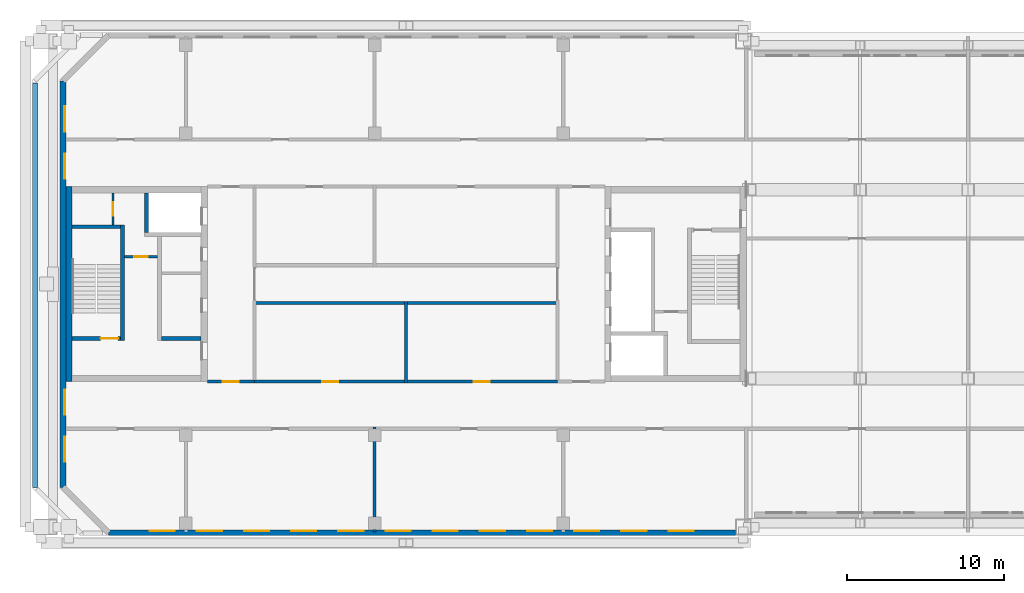
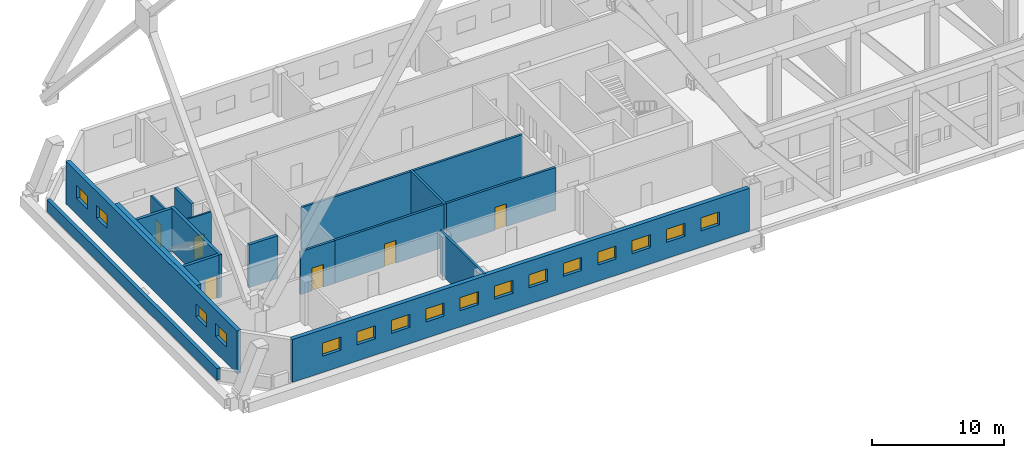
# One storey, part 4 of 17: 16 walls, 16 windows, 6 doors, 22 openings.
"""IFC4 building model written with IfcOpenShell, lengths in metres."""

from ifc_helpers import new_model, si_unit, direction, frame, frame_2d, origin, place, context, subcontext, project, spatial, rectangle, extrude, material, layer, layer_set, type_object, element, fill, save


model = new_model("IFC4")

# Units and contexts
model_context = context("Model", 3, precision=1e-05, world=origin(), true_north=direction((0.0, 1.0)))
body_context = subcontext(model_context, "Body", "Model", "MODEL_VIEW")
ifc_project = project(units=[si_unit("LENGTHUNIT", "METRE"), si_unit("AREAUNIT", "SQUARE_METRE"), si_unit("VOLUMEUNIT", "CUBIC_METRE"), si_unit("PLANEANGLEUNIT", "RADIAN"), si_unit("MASSUNIT", "GRAM", prefix="KILO")], contexts=[model_context])

# Site, building, storey
site_placement = place(None, origin())
site = spatial("IfcSite", under=ifc_project, at=site_placement, CompositionType="ELEMENT")
building_placement = place(site_placement, origin())
building = spatial("IfcBuilding", under=site, at=building_placement, Name="Tuart Gate Housing", CompositionType="ELEMENT")
storey_placement = place(building_placement, frame((0.0, 0.0, 194.39990234375)))
storey = spatial("IfcBuildingStorey", under=building, at=storey_placement, Name="L55", CompositionType="ELEMENT", Elevation=194.39990234375)

# Wall
ifc_material_1 = material(Name="Brick", Category="masonry")
ifc_layer_1 = layer(ifc_material_1, 0.300048828125)
ifc_layer_set_1 = layer_set([ifc_layer_1], Name="Brick parapet wall 300")
wall_type_1 = type_object("IfcWallType", Name="Brick parapet wall 300", PredefinedType="PARAPET", material=ifc_layer_set_1)
wall_1_placement = place(storey_placement, frame((30.39990234375, 82.785888671875, 0.0), z_axis=(0.0, 0.0, 1.0), x_axis=(0.0, -1.0, 0.0)))
element("IfcWall", 1, at=wall_1_placement, inside=storey, type_object=wall_type_1, Name="Roof parapet A 3", PredefinedType="PARAPET", context=body_context, shape_type="SweptSolid", body=[
    extrude(rectangle(XDim=25.723876953125, YDim=0.300048828125, at=frame_2d((12.86181640625, 0.0))), origin(), (0.0, 0.0, 1.0), 1.10009765625),
])

# Wall, openings, windows
ifc_material_2 = material(Name="Brick", Category="masonry")
ifc_layer_2 = layer(ifc_material_2, 0.360107421875)
ifc_layer_set_2 = layer_set([ifc_layer_2], Name="Brick pier and spandrel wall 360")
wall_type_2 = type_object("IfcWallType", Name="Brick pier and spandrel wall 360", PredefinedType="STANDARD", material=ifc_layer_set_2)
wall_2_placement = place(storey_placement, frame((35.07470703125, 54.179931640625, 0.0), z_axis=(0.0, 0.0, 1.0), x_axis=(1.0, 0.0, 0.0)))
wall_2 = element("IfcWall", 2, at=wall_2_placement, inside=storey, type_object=wall_type_2, Name="External wall BLK-S L55", PredefinedType="STANDARD", context=body_context, shape_type="SweptSolid", body=[
    extrude(rectangle(XDim=39.875244140625, YDim=0.360107421875, at=frame_2d((19.9375, 0.0))), origin(), (0.0, 0.0, 1.0), 3.9501953125),
])
opening_1_placement = place(wall_2_placement, frame((2.62548828125, 0.0, 1.5)))
opening_1 = element("IfcOpeningElement", 3, at=opening_1_placement, cuts=wall_2, Name="Opening W3", PredefinedType="OPENING", context=body_context, shape_type="SweptSolid", body=[
    extrude(rectangle(XDim=1.60009765625, YDim=1.199951171875, at=frame_2d((0.800048828125, 0.60009765625))), frame((0.0, 0.18994140625, 0.0), z_axis=(0.0, -1.0, 0.0), x_axis=(1.0, 0.0, 0.0)), (0.0, 0.0, 1.0), 0.380126953125),
])
opening_2_placement = place(wall_2_placement, frame((5.62548828125, 0.0, 1.5)))
opening_2 = element("IfcOpeningElement", 4, at=opening_2_placement, cuts=wall_2, Name="Opening W3", PredefinedType="OPENING", context=body_context, shape_type="SweptSolid", body=[
    extrude(rectangle(XDim=1.60009765625, YDim=1.199951171875, at=frame_2d((0.800048828125, 0.60009765625))), frame((0.0, 0.18994140625, 0.0), z_axis=(0.0, -1.0, 0.0), x_axis=(1.0, 0.0, 0.0)), (0.0, 0.0, 1.0), 0.380126953125),
])
opening_3_placement = place(wall_2_placement, frame((8.62548828125, 0.0, 1.5)))
opening_3 = element("IfcOpeningElement", 5, at=opening_3_placement, cuts=wall_2, Name="Opening W3", PredefinedType="OPENING", context=body_context, shape_type="SweptSolid", body=[
    extrude(rectangle(XDim=1.60009765625, YDim=1.199951171875, at=frame_2d((0.800048828125, 0.60009765625))), frame((0.0, 0.18994140625, 0.0), z_axis=(0.0, -1.0, 0.0), x_axis=(1.0, 0.0, 0.0)), (0.0, 0.0, 1.0), 0.380126953125),
])
opening_4_placement = place(wall_2_placement, frame((11.62548828125, 0.0, 1.5)))
opening_4 = element("IfcOpeningElement", 6, at=opening_4_placement, cuts=wall_2, Name="Opening W3", PredefinedType="OPENING", context=body_context, shape_type="SweptSolid", body=[
    extrude(rectangle(XDim=1.60009765625, YDim=1.199951171875, at=frame_2d((0.800048828125, 0.60009765625))), frame((0.0, 0.18994140625, 0.0), z_axis=(0.0, -1.0, 0.0), x_axis=(1.0, 0.0, 0.0)), (0.0, 0.0, 1.0), 0.380126953125),
])
opening_5_placement = place(wall_2_placement, frame((14.62548828125, 0.0, 1.5)))
opening_5 = element("IfcOpeningElement", 7, at=opening_5_placement, cuts=wall_2, Name="Opening W3", PredefinedType="OPENING", context=body_context, shape_type="SweptSolid", body=[
    extrude(rectangle(XDim=1.60009765625, YDim=1.199951171875, at=frame_2d((0.800048828125, 0.60009765625))), frame((0.0, 0.18994140625, 0.0), z_axis=(0.0, -1.0, 0.0), x_axis=(1.0, 0.0, 0.0)), (0.0, 0.0, 1.0), 0.380126953125),
])
opening_6_placement = place(wall_2_placement, frame((17.62548828125, 0.0, 1.5)))
opening_6 = element("IfcOpeningElement", 8, at=opening_6_placement, cuts=wall_2, Name="Opening W3", PredefinedType="OPENING", context=body_context, shape_type="SweptSolid", body=[
    extrude(rectangle(XDim=1.60009765625, YDim=1.199951171875, at=frame_2d((0.800048828125, 0.60009765625))), frame((0.0, 0.18994140625, 0.0), z_axis=(0.0, -1.0, 0.0), x_axis=(1.0, 0.0, 0.0)), (0.0, 0.0, 1.0), 0.380126953125),
])
opening_7_placement = place(wall_2_placement, frame((20.62548828125, 0.0, 1.5)))
opening_7 = element("IfcOpeningElement", 9, at=opening_7_placement, cuts=wall_2, Name="Opening W3", PredefinedType="OPENING", context=body_context, shape_type="SweptSolid", body=[
    extrude(rectangle(XDim=1.60009765625, YDim=1.199951171875, at=frame_2d((0.800048828125, 0.60009765625))), frame((0.0, 0.18994140625, 0.0), z_axis=(0.0, -1.0, 0.0), x_axis=(1.0, 0.0, 0.0)), (0.0, 0.0, 1.0), 0.380126953125),
])
opening_8_placement = place(wall_2_placement, frame((23.62548828125, 0.0, 1.5)))
opening_8 = element("IfcOpeningElement", 10, at=opening_8_placement, cuts=wall_2, Name="Opening W3", PredefinedType="OPENING", context=body_context, shape_type="SweptSolid", body=[
    extrude(rectangle(XDim=1.60009765625, YDim=1.199951171875, at=frame_2d((0.800048828125, 0.60009765625))), frame((0.0, 0.18994140625, 0.0), z_axis=(0.0, -1.0, 0.0), x_axis=(1.0, 0.0, 0.0)), (0.0, 0.0, 1.0), 0.380126953125),
])
opening_9_placement = place(wall_2_placement, frame((26.62548828125, 0.0, 1.5)))
opening_9 = element("IfcOpeningElement", 11, at=opening_9_placement, cuts=wall_2, Name="Opening W3", PredefinedType="OPENING", context=body_context, shape_type="SweptSolid", body=[
    extrude(rectangle(XDim=1.60009765625, YDim=1.199951171875, at=frame_2d((0.800048828125, 0.60009765625))), frame((0.0, 0.18994140625, 0.0), z_axis=(0.0, -1.0, 0.0), x_axis=(1.0, 0.0, 0.0)), (0.0, 0.0, 1.0), 0.380126953125),
])
opening_10_placement = place(wall_2_placement, frame((29.62548828125, 0.0, 1.5)))
opening_10 = element("IfcOpeningElement", 12, at=opening_10_placement, cuts=wall_2, Name="Opening W3", PredefinedType="OPENING", context=body_context, shape_type="SweptSolid", body=[
    extrude(rectangle(XDim=1.60009765625, YDim=1.199951171875, at=frame_2d((0.800048828125, 0.60009765625))), frame((0.0, 0.18994140625, 0.0), z_axis=(0.0, -1.0, 0.0), x_axis=(1.0, 0.0, 0.0)), (0.0, 0.0, 1.0), 0.380126953125),
])
opening_11_placement = place(wall_2_placement, frame((32.62548828125, 0.0, 1.5)))
opening_11 = element("IfcOpeningElement", 13, at=opening_11_placement, cuts=wall_2, Name="Opening W3", PredefinedType="OPENING", context=body_context, shape_type="SweptSolid", body=[
    extrude(rectangle(XDim=1.60009765625, YDim=1.199951171875, at=frame_2d((0.800048828125, 0.60009765625))), frame((0.0, 0.18994140625, 0.0), z_axis=(0.0, -1.0, 0.0), x_axis=(1.0, 0.0, 0.0)), (0.0, 0.0, 1.0), 0.380126953125),
])
opening_12_placement = place(wall_2_placement, frame((35.62548828125, 0.0, 1.5)))
opening_12 = element("IfcOpeningElement", 14, at=opening_12_placement, cuts=wall_2, Name="Opening W3", PredefinedType="OPENING", context=body_context, shape_type="SweptSolid", body=[
    extrude(rectangle(XDim=1.60009765625, YDim=1.199951171875, at=frame_2d((0.800048828125, 0.60009765625))), frame((0.0, 0.18994140625, 0.0), z_axis=(0.0, -1.0, 0.0), x_axis=(1.0, 0.0, 0.0)), (0.0, 0.0, 1.0), 0.380126953125),
])
ifc_material_3 = material(Name="Aluminium louvre blades", Category="aluminium")
window_type = type_object("IfcWindowType", Name="Louvre window 1600 x 1200", PartitioningType="DOUBLE_PANEL_HORIZONTAL", PredefinedType="WINDOW", material=ifc_material_3)
window_1_placement = place(opening_1_placement, origin())
window_1 = element("IfcWindow", 15, at=window_1_placement, inside=storey, type_object=window_type, Name="Louvre W3", OverallHeight=1.199951171875, OverallWidth=1.60009765625, PartitioningType="DOUBLE_PANEL_HORIZONTAL", PredefinedType="WINDOW", context=body_context, shape_type="SweptSolid", body=[
    extrude(rectangle(XDim=1.60009765625, YDim=1.199951171875, at=frame_2d((0.800048828125, 0.60009765625))), frame((0.0, 0.150146484375, 0.0), z_axis=(0.0, -1.0, 0.0), x_axis=(1.0, 0.0, 0.0)), (0.0, 0.0, 1.0), 0.06005859375),
])
fill(opening_1, window_1)
window_2_placement = place(opening_2_placement, origin())
window_2 = element("IfcWindow", 16, at=window_2_placement, inside=storey, type_object=window_type, Name="Louvre W3", OverallHeight=1.199951171875, OverallWidth=1.60009765625, PartitioningType="DOUBLE_PANEL_HORIZONTAL", PredefinedType="WINDOW", context=body_context, shape_type="SweptSolid", body=[
    extrude(rectangle(XDim=1.60009765625, YDim=1.199951171875, at=frame_2d((0.800048828125, 0.60009765625))), frame((0.0, 0.150146484375, 0.0), z_axis=(0.0, -1.0, 0.0), x_axis=(1.0, 0.0, 0.0)), (0.0, 0.0, 1.0), 0.06005859375),
])
fill(opening_2, window_2)
window_3_placement = place(opening_3_placement, origin())
window_3 = element("IfcWindow", 17, at=window_3_placement, inside=storey, type_object=window_type, Name="Louvre W3", OverallHeight=1.199951171875, OverallWidth=1.60009765625, PartitioningType="DOUBLE_PANEL_HORIZONTAL", PredefinedType="WINDOW", context=body_context, shape_type="SweptSolid", body=[
    extrude(rectangle(XDim=1.60009765625, YDim=1.199951171875, at=frame_2d((0.800048828125, 0.60009765625))), frame((0.0, 0.150146484375, 0.0), z_axis=(0.0, -1.0, 0.0), x_axis=(1.0, 0.0, 0.0)), (0.0, 0.0, 1.0), 0.06005859375),
])
fill(opening_3, window_3)
window_4_placement = place(opening_4_placement, origin())
window_4 = element("IfcWindow", 18, at=window_4_placement, inside=storey, type_object=window_type, Name="Louvre W3", OverallHeight=1.199951171875, OverallWidth=1.60009765625, PartitioningType="DOUBLE_PANEL_HORIZONTAL", PredefinedType="WINDOW", context=body_context, shape_type="SweptSolid", body=[
    extrude(rectangle(XDim=1.60009765625, YDim=1.199951171875, at=frame_2d((0.800048828125, 0.60009765625))), frame((0.0, 0.150146484375, 0.0), z_axis=(0.0, -1.0, 0.0), x_axis=(1.0, 0.0, 0.0)), (0.0, 0.0, 1.0), 0.06005859375),
])
fill(opening_4, window_4)
window_5_placement = place(opening_5_placement, origin())
window_5 = element("IfcWindow", 19, at=window_5_placement, inside=storey, type_object=window_type, Name="Louvre W3", OverallHeight=1.199951171875, OverallWidth=1.60009765625, PartitioningType="DOUBLE_PANEL_HORIZONTAL", PredefinedType="WINDOW", context=body_context, shape_type="SweptSolid", body=[
    extrude(rectangle(XDim=1.60009765625, YDim=1.199951171875, at=frame_2d((0.800048828125, 0.60009765625))), frame((0.0, 0.150146484375, 0.0), z_axis=(0.0, -1.0, 0.0), x_axis=(1.0, 0.0, 0.0)), (0.0, 0.0, 1.0), 0.06005859375),
])
fill(opening_5, window_5)
window_6_placement = place(opening_6_placement, origin())
window_6 = element("IfcWindow", 20, at=window_6_placement, inside=storey, type_object=window_type, Name="Louvre W3", OverallHeight=1.199951171875, OverallWidth=1.60009765625, PartitioningType="DOUBLE_PANEL_HORIZONTAL", PredefinedType="WINDOW", context=body_context, shape_type="SweptSolid", body=[
    extrude(rectangle(XDim=1.60009765625, YDim=1.199951171875, at=frame_2d((0.800048828125, 0.60009765625))), frame((0.0, 0.150146484375, 0.0), z_axis=(0.0, -1.0, 0.0), x_axis=(1.0, 0.0, 0.0)), (0.0, 0.0, 1.0), 0.06005859375),
])
fill(opening_6, window_6)
window_7_placement = place(opening_7_placement, origin())
window_7 = element("IfcWindow", 21, at=window_7_placement, inside=storey, type_object=window_type, Name="Louvre W3", OverallHeight=1.199951171875, OverallWidth=1.60009765625, PartitioningType="DOUBLE_PANEL_HORIZONTAL", PredefinedType="WINDOW", context=body_context, shape_type="SweptSolid", body=[
    extrude(rectangle(XDim=1.60009765625, YDim=1.199951171875, at=frame_2d((0.800048828125, 0.60009765625))), frame((0.0, 0.150146484375, 0.0), z_axis=(0.0, -1.0, 0.0), x_axis=(1.0, 0.0, 0.0)), (0.0, 0.0, 1.0), 0.06005859375),
])
fill(opening_7, window_7)
window_8_placement = place(opening_8_placement, origin())
window_8 = element("IfcWindow", 22, at=window_8_placement, inside=storey, type_object=window_type, Name="Louvre W3", OverallHeight=1.199951171875, OverallWidth=1.60009765625, PartitioningType="DOUBLE_PANEL_HORIZONTAL", PredefinedType="WINDOW", context=body_context, shape_type="SweptSolid", body=[
    extrude(rectangle(XDim=1.60009765625, YDim=1.199951171875, at=frame_2d((0.800048828125, 0.60009765625))), frame((0.0, 0.150146484375, 0.0), z_axis=(0.0, -1.0, 0.0), x_axis=(1.0, 0.0, 0.0)), (0.0, 0.0, 1.0), 0.06005859375),
])
fill(opening_8, window_8)
window_9_placement = place(opening_9_placement, origin())
window_9 = element("IfcWindow", 23, at=window_9_placement, inside=storey, type_object=window_type, Name="Louvre W3", OverallHeight=1.199951171875, OverallWidth=1.60009765625, PartitioningType="DOUBLE_PANEL_HORIZONTAL", PredefinedType="WINDOW", context=body_context, shape_type="SweptSolid", body=[
    extrude(rectangle(XDim=1.60009765625, YDim=1.199951171875, at=frame_2d((0.800048828125, 0.60009765625))), frame((0.0, 0.150146484375, 0.0), z_axis=(0.0, -1.0, 0.0), x_axis=(1.0, 0.0, 0.0)), (0.0, 0.0, 1.0), 0.06005859375),
])
fill(opening_9, window_9)
window_10_placement = place(opening_10_placement, origin())
window_10 = element("IfcWindow", 24, at=window_10_placement, inside=storey, type_object=window_type, Name="Louvre W3", OverallHeight=1.199951171875, OverallWidth=1.60009765625, PartitioningType="DOUBLE_PANEL_HORIZONTAL", PredefinedType="WINDOW", context=body_context, shape_type="SweptSolid", body=[
    extrude(rectangle(XDim=1.60009765625, YDim=1.199951171875, at=frame_2d((0.800048828125, 0.60009765625))), frame((0.0, 0.150146484375, 0.0), z_axis=(0.0, -1.0, 0.0), x_axis=(1.0, 0.0, 0.0)), (0.0, 0.0, 1.0), 0.06005859375),
])
fill(opening_10, window_10)
window_11_placement = place(opening_11_placement, origin())
window_11 = element("IfcWindow", 25, at=window_11_placement, inside=storey, type_object=window_type, Name="Louvre W3", OverallHeight=1.199951171875, OverallWidth=1.60009765625, PartitioningType="DOUBLE_PANEL_HORIZONTAL", PredefinedType="WINDOW", context=body_context, shape_type="SweptSolid", body=[
    extrude(rectangle(XDim=1.60009765625, YDim=1.199951171875, at=frame_2d((0.800048828125, 0.60009765625))), frame((0.0, 0.150146484375, 0.0), z_axis=(0.0, -1.0, 0.0), x_axis=(1.0, 0.0, 0.0)), (0.0, 0.0, 1.0), 0.06005859375),
])
fill(opening_11, window_11)
window_12_placement = place(opening_12_placement, origin())
window_12 = element("IfcWindow", 26, at=window_12_placement, inside=storey, type_object=window_type, Name="Louvre W3", OverallHeight=1.199951171875, OverallWidth=1.60009765625, PartitioningType="DOUBLE_PANEL_HORIZONTAL", PredefinedType="WINDOW", context=body_context, shape_type="SweptSolid", body=[
    extrude(rectangle(XDim=1.60009765625, YDim=1.199951171875, at=frame_2d((0.800048828125, 0.60009765625))), frame((0.0, 0.150146484375, 0.0), z_axis=(0.0, -1.0, 0.0), x_axis=(1.0, 0.0, 0.0)), (0.0, 0.0, 1.0), 0.06005859375),
])
fill(opening_12, window_12)

wall_3_placement = place(storey_placement, frame((32.179931640625, 82.92529296875, 0.0), z_axis=(0.0, 0.0, 1.0), x_axis=(0.0, -1.0, 0.0)))
wall_3 = element("IfcWall", 27, at=wall_3_placement, inside=storey, type_object=wall_type_2, Name="External wall BLK-W L55", PredefinedType="STANDARD", context=body_context, shape_type="SweptSolid", body=[
    extrude(rectangle(XDim=25.850830078125, YDim=0.360107421875, at=frame_2d((12.92529296875, 0.0))), origin(), (0.0, 0.0, 1.0), 3.9501953125),
])
opening_13_placement = place(wall_3_placement, frame((1.62548828125, 0.0, 1.5)))
opening_13 = element("IfcOpeningElement", 28, at=opening_13_placement, cuts=wall_3, Name="Opening W3", PredefinedType="OPENING", context=body_context, shape_type="SweptSolid", body=[
    extrude(rectangle(XDim=1.60009765625, YDim=1.199951171875, at=frame_2d((0.800048828125, 0.60009765625))), frame((0.0, 0.18994140625, 0.0), z_axis=(0.0, -1.0, 0.0), x_axis=(1.0, 0.0, 0.0)), (0.0, 0.0, 1.0), 0.380126953125),
])
opening_14_placement = place(wall_3_placement, frame((4.62548828125, 0.0, 1.5)))
opening_14 = element("IfcOpeningElement", 29, at=opening_14_placement, cuts=wall_3, Name="Opening W3", PredefinedType="OPENING", context=body_context, shape_type="SweptSolid", body=[
    extrude(rectangle(XDim=1.60009765625, YDim=1.199951171875, at=frame_2d((0.800048828125, 0.60009765625))), frame((0.0, 0.18994140625, 0.0), z_axis=(0.0, -1.0, 0.0), x_axis=(1.0, 0.0, 0.0)), (0.0, 0.0, 1.0), 0.380126953125),
])
opening_15_placement = place(wall_3_placement, frame((19.62548828125, 0.0, 1.5)))
opening_15 = element("IfcOpeningElement", 30, at=opening_15_placement, cuts=wall_3, Name="Opening W3", PredefinedType="OPENING", context=body_context, shape_type="SweptSolid", body=[
    extrude(rectangle(XDim=1.60009765625, YDim=1.199951171875, at=frame_2d((0.800048828125, 0.60009765625))), frame((0.0, 0.18994140625, 0.0), z_axis=(0.0, -1.0, 0.0), x_axis=(1.0, 0.0, 0.0)), (0.0, 0.0, 1.0), 0.380126953125),
])
opening_16_placement = place(wall_3_placement, frame((22.62548828125, 0.0, 1.5)))
opening_16 = element("IfcOpeningElement", 31, at=opening_16_placement, cuts=wall_3, Name="Opening W3", PredefinedType="OPENING", context=body_context, shape_type="SweptSolid", body=[
    extrude(rectangle(XDim=1.60009765625, YDim=1.199951171875, at=frame_2d((0.800048828125, 0.60009765625))), frame((0.0, 0.18994140625, 0.0), z_axis=(0.0, -1.0, 0.0), x_axis=(1.0, 0.0, 0.0)), (0.0, 0.0, 1.0), 0.380126953125),
])
window_13_placement = place(opening_13_placement, origin())
window_13 = element("IfcWindow", 32, at=window_13_placement, inside=storey, type_object=window_type, Name="Louvre W3", OverallHeight=1.199951171875, OverallWidth=1.60009765625, PartitioningType="DOUBLE_PANEL_HORIZONTAL", PredefinedType="WINDOW", context=body_context, shape_type="SweptSolid", body=[
    extrude(rectangle(XDim=1.60009765625, YDim=1.199951171875, at=frame_2d((0.800048828125, 0.60009765625))), frame((0.0, 0.150146484375, 0.0), z_axis=(0.0, -1.0, 0.0), x_axis=(1.0, 0.0, 0.0)), (0.0, 0.0, 1.0), 0.06005859375),
])
fill(opening_13, window_13)
window_14_placement = place(opening_14_placement, origin())
window_14 = element("IfcWindow", 33, at=window_14_placement, inside=storey, type_object=window_type, Name="Louvre W3", OverallHeight=1.199951171875, OverallWidth=1.60009765625, PartitioningType="DOUBLE_PANEL_HORIZONTAL", PredefinedType="WINDOW", context=body_context, shape_type="SweptSolid", body=[
    extrude(rectangle(XDim=1.60009765625, YDim=1.199951171875, at=frame_2d((0.800048828125, 0.60009765625))), frame((0.0, 0.150146484375, 0.0), z_axis=(0.0, -1.0, 0.0), x_axis=(1.0, 0.0, 0.0)), (0.0, 0.0, 1.0), 0.06005859375),
])
fill(opening_14, window_14)
window_15_placement = place(opening_15_placement, origin())
window_15 = element("IfcWindow", 34, at=window_15_placement, inside=storey, type_object=window_type, Name="Louvre W3", OverallHeight=1.199951171875, OverallWidth=1.60009765625, PartitioningType="DOUBLE_PANEL_HORIZONTAL", PredefinedType="WINDOW", context=body_context, shape_type="SweptSolid", body=[
    extrude(rectangle(XDim=1.60009765625, YDim=1.199951171875, at=frame_2d((0.800048828125, 0.60009765625))), frame((0.0, 0.150146484375, 0.0), z_axis=(0.0, -1.0, 0.0), x_axis=(1.0, 0.0, 0.0)), (0.0, 0.0, 1.0), 0.06005859375),
])
fill(opening_15, window_15)
window_16_placement = place(opening_16_placement, origin())
window_16 = element("IfcWindow", 35, at=window_16_placement, inside=storey, type_object=window_type, Name="Louvre W3", OverallHeight=1.199951171875, OverallWidth=1.60009765625, PartitioningType="DOUBLE_PANEL_HORIZONTAL", PredefinedType="WINDOW", context=body_context, shape_type="SweptSolid", body=[
    extrude(rectangle(XDim=1.60009765625, YDim=1.199951171875, at=frame_2d((0.800048828125, 0.60009765625))), frame((0.0, 0.150146484375, 0.0), z_axis=(0.0, -1.0, 0.0), x_axis=(1.0, 0.0, 0.0)), (0.0, 0.0, 1.0), 0.06005859375),
])
fill(opening_16, window_16)

# Wall, opening, door
ifc_material_4 = material(Name="Plasterboard partition")
ifc_layer_3 = layer(ifc_material_4, 0.14990234375)
ifc_layer_set_3 = layer_set([ifc_layer_3], Name="Core partition 150")
wall_type_3 = type_object("IfcWallType", Name="Core partition 150", PredefinedType="PARTITIONING", material=ifc_layer_set_3)
wall_4_placement = place(storey_placement, frame((38.18505859375, 71.75, 0.0), z_axis=(0.0, 0.0, 1.0), x_axis=(-1.0, 0.0, 0.0)))
wall_4 = element("IfcWall", 36, at=wall_4_placement, inside=storey, type_object=wall_type_3, Name="Core partition AK.3", PredefinedType="PARTITIONING", context=body_context, shape_type="SweptSolid", body=[
    extrude(rectangle(XDim=2.10009765625, YDim=0.14990234375, at=frame_2d((1.050048828125, 0.0))), origin(), (0.0, 0.0, 1.0), 3.9501953125),
])
opening_17_placement = place(wall_4_placement, frame((0.625, 0.0, 0.0)))
opening_17 = element("IfcOpeningElement", 37, at=opening_17_placement, cuts=wall_4, Name="Opening D3509", PredefinedType="OPENING", context=body_context, shape_type="SweptSolid", body=[
    extrude(rectangle(XDim=0.85009765625, YDim=2.10009765625, at=frame_2d((0.425048828125, 1.050048828125))), frame((0.0, 0.0849609375, 0.0), z_axis=(0.0, -1.0, 0.0), x_axis=(1.0, 0.0, 0.0)), (0.0, 0.0, 1.0), 0.169921875),
])
ifc_material_5 = material(Name="Steel fire door", Category="steel")
door_type_1 = type_object("IfcDoorType", Name="Riser door 850 x 2100 RH", OperationType="SINGLE_SWING_RIGHT", PredefinedType="DOOR", material=ifc_material_5)
door_1_placement = place(opening_17_placement, frame((0.85009765625, 0.0, 0.0), z_axis=(0.0, 0.0, 1.0), x_axis=(-1.0, 0.0, 0.0)))
door_1 = element("IfcDoor", 38, at=door_1_placement, inside=storey, type_object=door_type_1, Name="Service room door AK.E1", OperationType="SINGLE_SWING_RIGHT", OverallHeight=2.10009765625, OverallWidth=0.85009765625, PredefinedType="DOOR", context=body_context, shape_type="SweptSolid", body=[
    extrude(rectangle(XDim=0.85009765625, YDim=2.10009765625, at=frame_2d((0.425048828125, 1.050048828125))), frame((0.0, 0.025146484375, 0.0), z_axis=(0.0, -1.0, 0.0), x_axis=(1.0, 0.0, 0.0)), (0.0, 0.0, 1.0), 0.050048828125),
])
fill(opening_17, door_1)

wall_5_placement = place(storey_placement, frame((35.360107421875, 75.800048828125, 0.0), z_axis=(0.0, 0.0, 1.0), x_axis=(0.0, -1.0, 0.0)))
wall_5 = element("IfcWall", 39, at=wall_5_placement, inside=storey, type_object=wall_type_3, Name="Core partition AK.10", PredefinedType="PARTITIONING", context=body_context, shape_type="SweptSolid", body=[
    extrude(rectangle(XDim=2.025146484375, YDim=0.14990234375, at=frame_2d((1.0126953125, 0.0))), origin(), (0.0, 0.0, 1.0), 3.9501953125),
])
opening_18_placement = place(wall_5_placement, frame((0.58740234375, 0.0, 0.0)))
opening_18 = element("IfcOpeningElement", 40, at=opening_18_placement, cuts=wall_5, Name="Opening D3507", PredefinedType="OPENING", context=body_context, shape_type="SweptSolid", body=[
    extrude(rectangle(XDim=0.85009765625, YDim=2.10009765625, at=frame_2d((0.425048828125, 1.050048828125))), frame((0.0, 0.0849609375, 0.0), z_axis=(0.0, -1.0, 0.0), x_axis=(1.0, 0.0, 0.0)), (0.0, 0.0, 1.0), 0.169921875),
])
ifc_material_6 = material(Name="Steel fire door", Category="steel")
door_type_2 = type_object("IfcDoorType", Name="Service door 850 x 2100", OperationType="SINGLE_SWING_LEFT", PredefinedType="DOOR", material=ifc_material_6)
door_2_placement = place(opening_18_placement, origin())
door_2 = element("IfcDoor", 41, at=door_2_placement, inside=storey, type_object=door_type_2, Name="Service room door AK.E2", OperationType="SINGLE_SWING_LEFT", OverallHeight=2.10009765625, OverallWidth=0.85009765625, PredefinedType="DOOR", context=body_context, shape_type="SweptSolid", body=[
    extrude(rectangle(XDim=0.85009765625, YDim=2.10009765625, at=frame_2d((0.425048828125, 1.050048828125))), frame((0.0, 0.02490234375, 0.0), z_axis=(0.0, -1.0, 0.0), x_axis=(1.0, 0.0, 0.0)), (0.0, 0.0, 1.0), 0.050048828125),
])
fill(opening_18, door_2)

# Walls
ifc_material_7 = material(Name="Concrete C40", Category="concrete")
ifc_layer_4 = layer(ifc_material_7, 0.25)
ifc_layer_set_4 = layer_set([ifc_layer_4], Name="Core wall 250 C40")
wall_type_4 = type_object("IfcWallType", Name="Core wall 250 C40", PredefinedType="SHEAR", material=ifc_layer_set_4)
wall_6_placement = place(storey_placement, frame((35.8349609375, 73.64990234375, 0.0), z_axis=(0.0, 0.0, 1.0), x_axis=(-1.0, 0.0, 0.0)))
element("IfcWall", 42, at=wall_6_placement, inside=storey, type_object=wall_type_4, Name="Core wall AK.1", PredefinedType="SHEAR", context=body_context, shape_type="SweptSolid", body=[
    extrude(rectangle(XDim=3.074951171875, YDim=0.25, at=frame_2d((1.53759765625, 0.0))), origin(), (0.0, 0.0, 1.0), 3.9501953125),
])
wall_7_placement = place(storey_placement, frame((40.9599609375, 66.550048828125, 0.0), z_axis=(0.0, 0.0, 1.0), x_axis=(-1.0, 0.0, 0.0)))
element("IfcWall", 43, at=wall_7_placement, inside=storey, type_object=wall_type_4, Name="Core wall AK.5", PredefinedType="SHEAR", context=body_context, shape_type="SweptSolid", body=[
    extrude(rectangle(XDim=2.52490234375, YDim=0.25, at=frame_2d((1.262451171875, 0.0))), origin(), (0.0, 0.0, 1.0), 3.9501953125),
])

# Wall, opening, door
wall_8_placement = place(storey_placement, frame((35.8349609375, 66.550048828125, 0.0), z_axis=(0.0, 0.0, 1.0), x_axis=(-1.0, 0.0, 0.0)))
wall_8 = element("IfcWall", 44, at=wall_8_placement, inside=storey, type_object=wall_type_4, Name="Core wall AK.6", PredefinedType="SHEAR", context=body_context, shape_type="SweptSolid", body=[
    extrude(rectangle(XDim=3.074951171875, YDim=0.25, at=frame_2d((1.53759765625, 0.0))), origin(), (0.0, 0.0, 1.0), 3.9501953125),
])
opening_19_placement = place(wall_8_placement, frame((0.14990234375, 0.0, 0.0)))
opening_19 = element("IfcOpeningElement", 45, at=opening_19_placement, cuts=wall_8, Name="Opening D3518", PredefinedType="OPENING", context=body_context, shape_type="SweptSolid", body=[
    extrude(rectangle(XDim=1.10009765625, YDim=2.10009765625, at=frame_2d((0.550048828125, 1.050048828125))), frame((0.0, 0.135009765625, 0.0), z_axis=(0.0, -1.0, 0.0), x_axis=(1.0, 0.0, 0.0)), (0.0, 0.0, 1.0), 0.27001953125),
])
ifc_material_8 = material(Name="Steel fire door", Category="steel")
door_type_3 = type_object("IfcDoorType", Name="Stair door 1100 x 2100 RH", OperationType="SINGLE_SWING_RIGHT", PredefinedType="DOOR", material=ifc_material_8)
door_3_placement = place(opening_19_placement, frame((1.10009765625, 0.0, 0.0), z_axis=(0.0, 0.0, 1.0), x_axis=(-1.0, 0.0, 0.0)))
door_3 = element("IfcDoor", 46, at=door_3_placement, inside=storey, type_object=door_type_3, Name="Stair door AK.SD", OperationType="SINGLE_SWING_RIGHT", OverallHeight=2.10009765625, OverallWidth=1.10009765625, PredefinedType="DOOR", context=body_context, shape_type="SweptSolid", body=[
    extrude(rectangle(XDim=1.10009765625, YDim=2.10009765625, at=frame_2d((0.550048828125, 1.050048828125))), frame((0.0, 0.025146484375, 0.0), z_axis=(0.0, -1.0, 0.0), x_axis=(1.0, 0.0, 0.0)), (0.0, 0.0, 1.0), 0.050048828125),
])
fill(opening_19, door_3)

# Walls
wall_9_placement = place(storey_placement, frame((37.489990234375, 75.800048828125, 0.0), z_axis=(0.0, 0.0, 1.0), x_axis=(0.0, -1.0, 0.0)))
element("IfcWall", 47, at=wall_9_placement, inside=storey, type_object=wall_type_4, Name="Core wall AK.8", PredefinedType="SHEAR", context=body_context, shape_type="SweptSolid", body=[
    extrude(rectangle(XDim=2.525146484375, YDim=0.25, at=frame_2d((1.2626953125, 0.0))), origin(), (0.0, 0.0, 1.0), 3.9501953125),
])
wall_10_placement = place(storey_placement, frame((35.9599609375, 73.77490234375, 0.0), z_axis=(0.0, 0.0, 1.0), x_axis=(0.0, -1.0, 0.0)))
element("IfcWall", 48, at=wall_10_placement, inside=storey, type_object=wall_type_4, Name="Core wall AK.9", PredefinedType="SHEAR", context=body_context, shape_type="SweptSolid", body=[
    extrude(rectangle(XDim=7.349853515625, YDim=0.25, at=frame_2d((3.6748046875, 0.0))), origin(), (0.0, 0.0, 1.0), 3.9501953125),
])
ifc_material_9 = material(Name="Concrete C40", Category="concrete")
ifc_layer_5 = layer(ifc_material_9, 0.39990234375)
ifc_layer_set_5 = layer_set([ifc_layer_5], Name="Core wall 400 C40")
wall_type_5 = type_object("IfcWallType", Name="Core wall 400 C40", PredefinedType="SHEAR", material=ifc_layer_set_5)
wall_11_placement = place(storey_placement, frame((32.56005859375, 76.199951171875, 0.0), z_axis=(0.0, 0.0, 1.0), x_axis=(0.0, -1.0, 0.0)))
element("IfcWall", 49, at=wall_11_placement, inside=storey, type_object=wall_type_5, Name="Core wall AK back", PredefinedType="SHEAR", context=body_context, shape_type="SweptSolid", body=[
    extrude(rectangle(XDim=12.39990234375, YDim=0.39990234375, at=frame_2d((6.199951171875, 0.0))), origin(), (0.0, 0.0, 1.0), 3.9501953125),
])

# Wall, openings, doors
ifc_material_10 = material(Name="Concrete masonry 15 MPa", Category="masonry")
ifc_layer_6 = layer(ifc_material_10, 0.199951171875)
ifc_layer_set_6 = layer_set([ifc_layer_6], Name="Enclosure wall masonry 200")
wall_type_6 = type_object("IfcWallType", Name="Enclosure wall masonry 200", PredefinedType="PARTITIONING", material=ifc_layer_set_6)
wall_12_placement = place(storey_placement, frame((44.360107421875, 63.800048828125, 0.0), z_axis=(0.0, 0.0, 1.0), x_axis=(1.0, 0.0, 0.0)))
wall_12 = element("IfcWall", 50, at=wall_12_placement, inside=storey, type_object=wall_type_6, Name="Enclosure wall masonry 200", PredefinedType="PARTITIONING", context=body_context, shape_type="SweptSolid", body=[
    extrude(rectangle(XDim=19.27978515625, YDim=0.199951171875, at=frame_2d((9.639892578125, 0.0))), origin(), (0.0, 0.0, 1.0), 3.9501953125),
])
opening_20_placement = place(wall_12_placement, frame((4.320068359375, 0.0, 0.0)))
opening_20 = element("IfcOpeningElement", 51, at=opening_20_placement, cuts=wall_12, Name="Opening D3520", PredefinedType="OPENING", context=body_context, shape_type="SweptSolid", body=[
    extrude(rectangle(XDim=1.0, YDim=2.10009765625, at=frame_2d((0.5, 1.050048828125))), frame((0.0, 0.10986328125, 0.0), z_axis=(0.0, -1.0, 0.0), x_axis=(1.0, 0.0, 0.0)), (0.0, 0.0, 1.0), 0.219970703125),
])
opening_21_placement = place(wall_12_placement, frame((13.9599609375, 0.0, 0.0)))
opening_21 = element("IfcOpeningElement", 52, at=opening_21_placement, cuts=wall_12, Name="Opening D3521", PredefinedType="OPENING", context=body_context, shape_type="SweptSolid", body=[
    extrude(rectangle(XDim=1.0, YDim=2.10009765625, at=frame_2d((0.5, 1.050048828125))), frame((0.0, 0.10986328125, 0.0), z_axis=(0.0, -1.0, 0.0), x_axis=(1.0, 0.0, 0.0)), (0.0, 0.0, 1.0), 0.219970703125),
])
ifc_material_11 = material(Name="Timber door leaf in steel frame", Category="steel")
door_type_4 = type_object("IfcDoorType", Name="Fire door 1000", OperationType="SINGLE_SWING_LEFT", PredefinedType="DOOR", material=ifc_material_11)
door_4_placement = place(opening_20_placement, origin())
door_4 = element("IfcDoor", 53, at=door_4_placement, inside=storey, type_object=door_type_4, Name="Fire door 1000", OperationType="SINGLE_SWING_LEFT", OverallHeight=2.10009765625, OverallWidth=1.0, PredefinedType="DOOR", context=body_context, shape_type="SweptSolid", body=[
    extrude(rectangle(XDim=1.0, YDim=2.10009765625, at=frame_2d((0.5, 1.050048828125))), frame((0.0, 0.02490234375, 0.0), z_axis=(0.0, -1.0, 0.0), x_axis=(1.0, 0.0, 0.0)), (0.0, 0.0, 1.0), 0.050048828125),
])
fill(opening_20, door_4)
door_5_placement = place(opening_21_placement, origin())
door_5 = element("IfcDoor", 54, at=door_5_placement, inside=storey, type_object=door_type_4, Name="Fire door 1000", OperationType="SINGLE_SWING_LEFT", OverallHeight=2.10009765625, OverallWidth=1.0, PredefinedType="DOOR", context=body_context, shape_type="SweptSolid", body=[
    extrude(rectangle(XDim=1.0, YDim=2.10009765625, at=frame_2d((0.5, 1.050048828125))), frame((0.0, 0.02490234375, 0.0), z_axis=(0.0, -1.0, 0.0), x_axis=(1.0, 0.0, 0.0)), (0.0, 0.0, 1.0), 0.050048828125),
])
fill(opening_21, door_5)

# Wall, opening, door
wall_13_placement = place(storey_placement, frame((41.360107421875, 63.800048828125, 0.0), z_axis=(0.0, 0.0, 1.0), x_axis=(1.0, 0.0, 0.0)))
wall_13 = element("IfcWall", 55, at=wall_13_placement, inside=storey, type_object=wall_type_6, Name="Enclosure wall masonry 200", PredefinedType="PARTITIONING", context=body_context, shape_type="SweptSolid", body=[
    extrude(rectangle(XDim=3.0, YDim=0.199951171875, at=frame_2d((1.5, 0.0))), origin(), (0.0, 0.0, 1.0), 3.9501953125),
])
opening_22_placement = place(wall_13_placement, frame((1.0, 0.0, 0.0)))
opening_22 = element("IfcOpeningElement", 56, at=opening_22_placement, cuts=wall_13, Name="Opening D3519", PredefinedType="OPENING", context=body_context, shape_type="SweptSolid", body=[
    extrude(rectangle(XDim=1.0, YDim=2.10009765625, at=frame_2d((0.5, 1.050048828125))), frame((0.0, 0.10986328125, 0.0), z_axis=(0.0, -1.0, 0.0), x_axis=(1.0, 0.0, 0.0)), (0.0, 0.0, 1.0), 0.219970703125),
])
ifc_material_12 = material(Name="Timber door leaf in steel frame", Category="steel")
door_type_5 = type_object("IfcDoorType", Name="Lobby door 1000 RH", OperationType="SINGLE_SWING_RIGHT", PredefinedType="DOOR", material=ifc_material_12)
door_6_placement = place(opening_22_placement, origin())
door_6 = element("IfcDoor", 57, at=door_6_placement, inside=storey, type_object=door_type_5, Name="Lobby door 1000", OperationType="SINGLE_SWING_RIGHT", OverallHeight=2.10009765625, OverallWidth=1.0, PredefinedType="DOOR", context=body_context, shape_type="SweptSolid", body=[
    extrude(rectangle(XDim=1.0, YDim=2.10009765625, at=frame_2d((0.5, 1.050048828125))), frame((0.0, 0.02490234375, 0.0), z_axis=(0.0, -1.0, 0.0), x_axis=(1.0, 0.0, 0.0)), (0.0, 0.0, 1.0), 0.050048828125),
])
fill(opening_22, door_6)

# Walls
wall_14_placement = place(storey_placement, frame((44.360107421875, 68.800048828125, 0.0), z_axis=(0.0, 0.0, 1.0), x_axis=(1.0, 0.0, 0.0)))
element("IfcWall", 58, at=wall_14_placement, inside=storey, type_object=wall_type_6, Name="Enclosure wall masonry 200", PredefinedType="PARTITIONING", context=body_context, shape_type="SweptSolid", body=[
    extrude(rectangle(XDim=19.27978515625, YDim=0.199951171875, at=frame_2d((9.639892578125, 0.0))), origin(), (0.0, 0.0, 1.0), 3.9501953125),
])
wall_15_placement = place(storey_placement, frame((52.0, 54.239990234375, 0.0), z_axis=(0.0, 0.0, 1.0), x_axis=(0.0, 1.0, 0.0)))
element("IfcWall", 59, at=wall_15_placement, inside=storey, type_object=wall_type_6, Name="Enclosure wall masonry 200", PredefinedType="PARTITIONING", context=body_context, shape_type="SweptSolid", body=[
    extrude(rectangle(XDim=6.659912109375, YDim=0.199951171875, at=frame_2d((3.330078125, 0.0))), origin(), (0.0, 0.0, 1.0), 3.9501953125),
])
wall_16_placement = place(storey_placement, frame((54.0, 63.699951171875, 0.0), z_axis=(0.0, 0.0, 1.0), x_axis=(0.0, 1.0, 0.0)))
element("IfcWall", 60, at=wall_16_placement, inside=storey, type_object=wall_type_6, Name="Enclosure wall masonry 200", PredefinedType="PARTITIONING", context=body_context, shape_type="SweptSolid", body=[
    extrude(rectangle(XDim=5.199951171875, YDim=0.199951171875, at=frame_2d((2.60009765625, 0.0))), origin(), (0.0, 0.0, 1.0), 3.9501953125),
])

save(model, "model.ifc")
